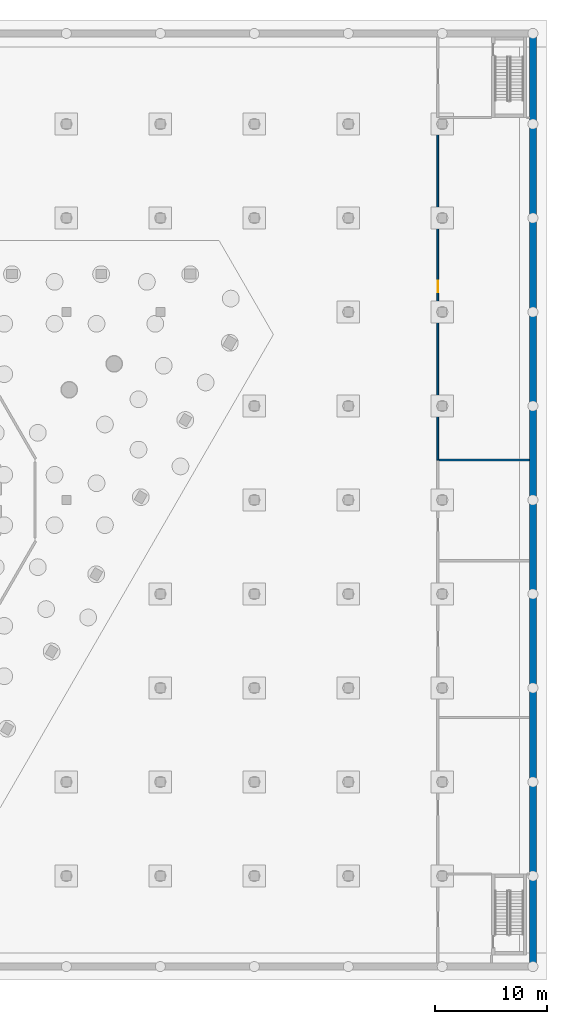
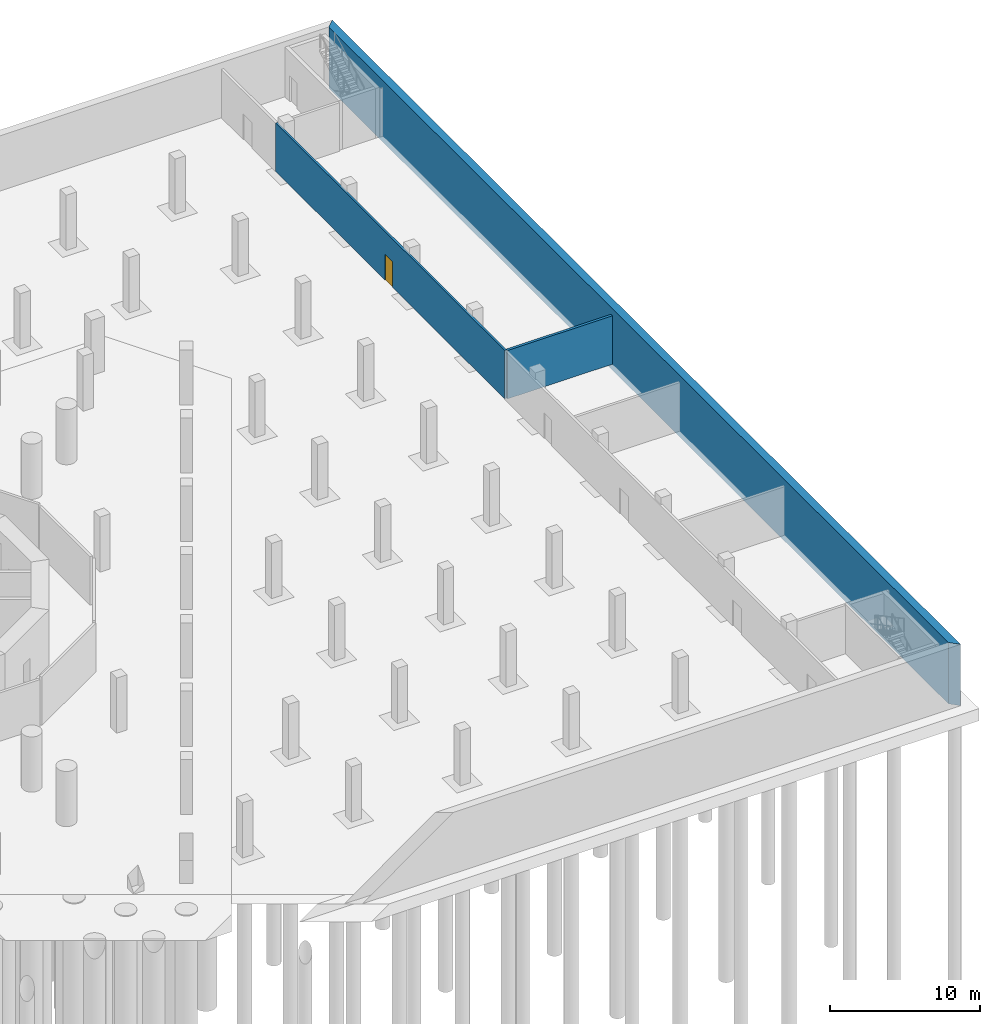
# One storey, part 11 of 23: 3 walls, 1 door, 1 opening.
"""IFC4 building model written with IfcOpenShell, lengths in metres."""

from ifc_helpers import new_model, si_unit, direction, frame, frame_2d, origin, place, context, subcontext, project, spatial, polyline, rectangle, outline, extrude, material, layer, layer_set, type_object, element, fill, save


model = new_model("IFC4")

# Units and contexts
model_context = context("Model", 3, precision=1e-05, world=origin(), true_north=direction((0.0, 1.0)))
body_context = subcontext(model_context, "Body", "Model", "MODEL_VIEW")
ifc_project = project(units=[si_unit("LENGTHUNIT", "METRE"), si_unit("AREAUNIT", "SQUARE_METRE"), si_unit("VOLUMEUNIT", "CUBIC_METRE"), si_unit("PLANEANGLEUNIT", "RADIAN"), si_unit("MASSUNIT", "GRAM", prefix="KILO")], contexts=[model_context])

# Site, building, storey
site_placement = place(None, origin())
site = spatial("IfcSite", under=ifc_project, at=site_placement, CompositionType="ELEMENT")
building_placement = place(site_placement, origin())
building = spatial("IfcBuilding", under=site, at=building_placement, Name="Trine Commons Tower", CompositionType="ELEMENT")
storey_placement = place(building_placement, frame((0.0, 0.0, -9.0)))
storey = spatial("IfcBuildingStorey", under=building, at=storey_placement, Name="B2", CompositionType="ELEMENT", Elevation=-9.0)

# Wall, opening, door
ifc_material_1 = material(Name="Plasterboard on steel stud", Category="steel")
ifc_layer_1 = layer(ifc_material_1, 0.14990234375)
ifc_layer_set_1 = layer_set([ifc_layer_1], Name="Plasterboard on steel stud")
wall_type_1 = type_object("IfcWallType", Name="Compartment wall 150 mm, EI 60", PredefinedType="PARTITIONING", material=ifc_layer_set_1)
wall_1_placement = place(storey_placement, frame((130.0, 66.06982421875, 0.0), z_axis=(0.0, 0.0, 1.0), x_axis=(0.0, 1.0, 0.0)))
wall_1 = element("IfcWall", 1, at=wall_1_placement, inside=storey, type_object=wall_type_1, Name="Partition B2030", PredefinedType="PARTITIONING", context=body_context, shape_type="SweptSolid", body=[
    extrude(rectangle(XDim=30.6103515625, YDim=0.14990234375, at=frame_2d((15.30517578125, 0.0))), origin(), (0.0, 0.0, 1.0), 3.949951171875),
])
opening_placement = place(wall_1_placement, frame((15.005126953125, 0.0, 0.0)))
opening = element("IfcOpeningElement", 2, at=opening_placement, cuts=wall_1, Name="Opening D-B215", PredefinedType="OPENING", context=body_context, shape_type="SweptSolid", body=[
    extrude(rectangle(XDim=1.0, YDim=2.10009765625, at=frame_2d((0.5, 1.050048828125))), frame((0.0, 0.0849609375, 0.0), z_axis=(0.0, -1.0, 0.0), x_axis=(1.0, 0.0, 0.0)), (0.0, 0.0, 1.0), 0.169921875),
])
ifc_material_2 = material(Name="Timber fire door set", Category="wood")
door_type = type_object("IfcDoorType", Name="Single swing door 1000x2100, FD30S", OperationType="SINGLE_SWING_LEFT", PredefinedType="DOOR", material=ifc_material_2)
door_placement = place(opening_placement, origin())
door = element("IfcDoor", 3, at=door_placement, inside=storey, type_object=door_type, Name="Door D-B215", OperationType="SINGLE_SWING_LEFT", OverallHeight=2.10009765625, OverallWidth=1.0, PredefinedType="DOOR", context=body_context, shape_type="SweptSolid", body=[
    extrude(rectangle(XDim=1.0, YDim=2.10009765625, at=frame_2d((0.5, 1.050048828125))), frame((0.0, 0.02490234375, 0.0), z_axis=(0.0, -1.0, 0.0), x_axis=(1.0, 0.0, 0.0)), (0.0, 0.0, 1.0), 0.050048828125),
])
fill(opening, door)

# Walls
ifc_layer_2 = layer(ifc_material_1, 0.199951171875)
ifc_layer_set_2 = layer_set([ifc_layer_2], Name="Plasterboard on steel stud")
wall_type_2 = type_object("IfcWallType", Name="Fire wall 200 mm, EI 120", PredefinedType="PARTITIONING", material=ifc_layer_set_2)
wall_2_placement = place(storey_placement, frame((130.10009765625, 66.070068359375, 0.0), z_axis=(0.0, 0.0, 1.0), x_axis=(1.0, 0.0, 0.0)))
element("IfcWall", 4, at=wall_2_placement, inside=storey, type_object=wall_type_2, Name="Partition B2031", PredefinedType="PARTITIONING", context=body_context, shape_type="SweptSolid", body=[
    extrude(rectangle(XDim=8.099853515625, YDim=0.199951171875, at=frame_2d((4.0498046875, 0.0))), origin(), (0.0, 0.0, 1.0), 3.949951171875),
])
ifc_material_3 = material(Name="Concrete C40/50", Category="concrete")
ifc_layer_3 = layer(ifc_material_3, 0.60009765625)
ifc_layer_set_3 = layer_set([ifc_layer_3], Name="Concrete C40/50")
wall_type_3 = type_object("IfcWallType", Name="RC retaining wall 600 mm, C40/50", PredefinedType="SOLIDWALL", material=ifc_layer_set_3)
wall_3_placement = place(storey_placement, frame((138.5, 20.800048828125, -0.5), z_axis=(0.0, 0.0, 1.0), x_axis=(0.0, 1.0, 0.0)))
element("IfcWall", 5, at=wall_3_placement, inside=storey, type_object=wall_type_3, Name="Retaining wall B2 E", PredefinedType="SOLIDWALL", context=body_context, shape_type="SweptSolid", body=[
    extrude(outline(polyline([(-0.300048828125, -0.300048828125), (83.699951171875, -0.300048828125), (83.10009765625, 0.300048828125), (0.300048828125, 0.300048828125), (-0.300048828125, -0.300048828125)])), origin(), (0.0, 0.0, 1.0), 5.0),
])

save(model, "model.ifc")
